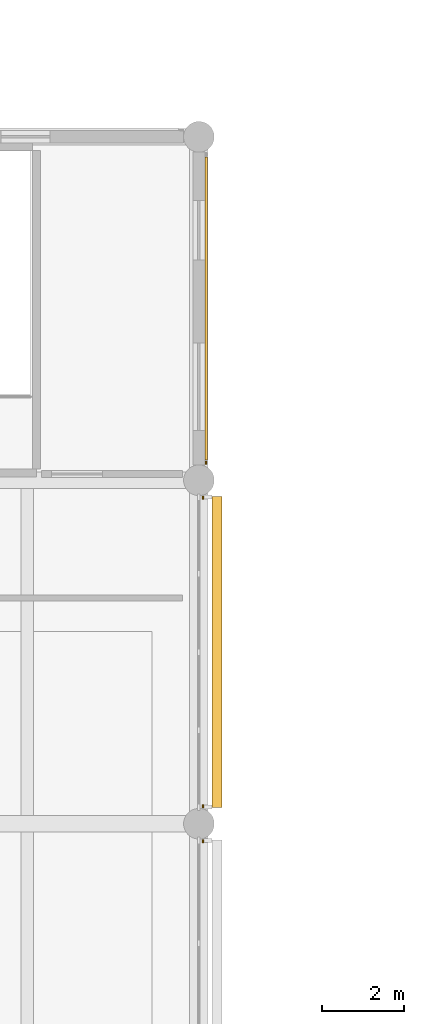
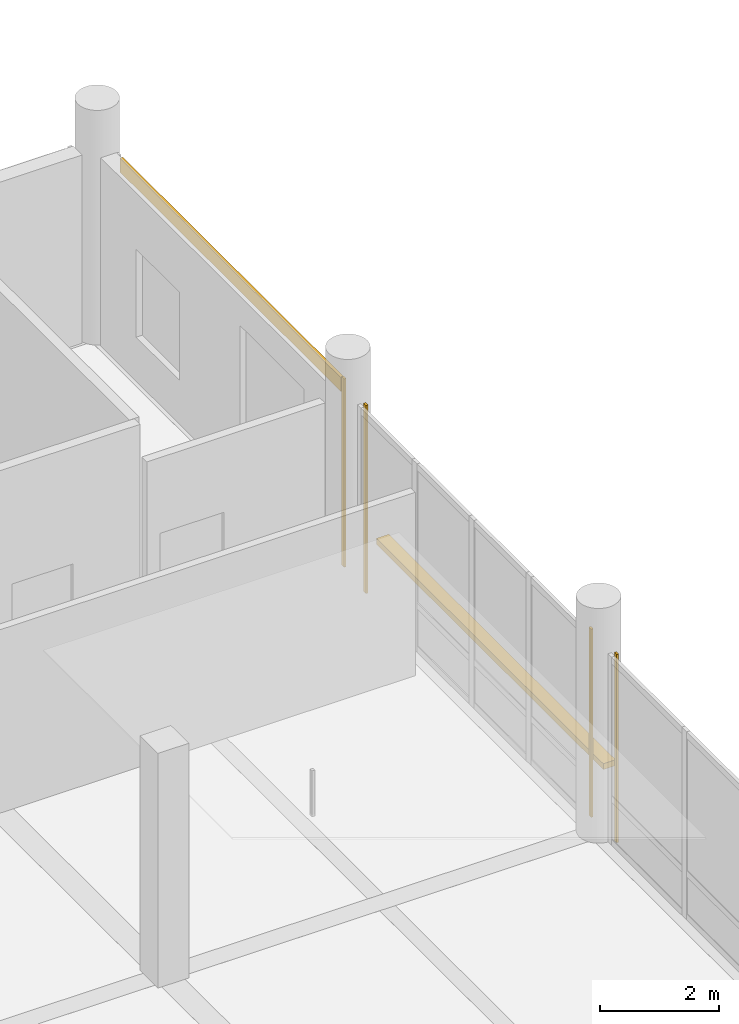
# One storey, part 109 of 122: 5 coverings, 1 shading device.
"""IFC4 building model written with IfcOpenShell, lengths in metres."""

from ifc_helpers import new_model, si_unit, direction, frame, origin, origin_2d, place, context, subcontext, project, spatial, rectangle, extrude, material, layer, layer_set, type_object, element, save


model = new_model("IFC4")

# Units and contexts
model_context = context("Model", 3, precision=1e-05, world=origin(), true_north=direction((0.0, 1.0)))
body_context = subcontext(model_context, "Body", "Model", "MODEL_VIEW")
ifc_project = project(units=[si_unit("LENGTHUNIT", "METRE"), si_unit("AREAUNIT", "SQUARE_METRE"), si_unit("VOLUMEUNIT", "CUBIC_METRE"), si_unit("PLANEANGLEUNIT", "RADIAN"), si_unit("MASSUNIT", "GRAM", prefix="KILO")], contexts=[model_context])

# Site, building, storey
site_placement = place(None, origin())
site = spatial("IfcSite", under=ifc_project, at=site_placement, CompositionType="ELEMENT")
building_placement = place(site_placement, origin())
building = spatial("IfcBuilding", under=site, at=building_placement, Name="Telukmera Botanical Conservatory", CompositionType="ELEMENT")
storey_placement = place(building_placement, frame((0.0, 0.0, 10.199951171875)))
storey = spatial("IfcBuildingStorey", under=building, at=storey_placement, Name="L02", CompositionType="ELEMENT", Elevation=10.199951171875)

# Coverings
ifc_material_1 = material(Name="Granite-faced precast concrete C40/50", Category="masonry")
ifc_layer_1 = layer(ifc_material_1, 0.0400390625)
ifc_layer_set_1 = layer_set([ifc_layer_1], Name="Granite-faced precast concrete C40/50")
covering_type_1 = type_object("IfcCoveringType", Name="Granite Precast Column Pier Reveal Casing", PredefinedType="CLADDING", material=ifc_layer_set_1)
for number, where, z_axis, x_axis, name in (
    (1, (42.10009765625, 57.572998046875, 0.0), (0.0, 0.0, 1.0), (0.0, 1.0, 0.0), "Granite Pier Reveal V3:L02:E5 R"),
    (2, (42.10009765625, 58.427001953125, 0.0), (0.0, 0.0, 1.0), (0.0, 1.0, 0.0), "Granite Pier Reveal V3:L02:E6 L"),
    (3, (42.10009765625, 65.972900390625, 0.0), (0.0, 0.0, 1.0), (0.0, 1.0, 0.0), "Granite Pier Reveal V3:L02:E6 R"),
    (4, (42.169921875, 66.826904296875, 0.0), (0.0, 0.0, 1.0), (0.0, 1.0, 0.0), "Granite Pier Reveal V3:L02:E7 L"),
):
    element("IfcCovering", number, at=place(storey_placement, frame(where, z_axis=z_axis, x_axis=x_axis)), inside=storey, type_object=covering_type_1, Name=name, PredefinedType="CLADDING", context=body_context, shape_type="SweptSolid", body=[
        extrude(rectangle(XDim=0.080078125, YDim=0.0400390625, at=origin_2d()), origin(), (0.0, 0.0, 1.0), 3.85009765625),
    ])

# Shading device
ifc_material_2 = material(Name="Perforated terracotta-anodised aluminium 6063-T6", Category="masonry")
ifc_layer_2 = layer(ifc_material_2, 0.044921875)
ifc_layer_set_2 = layer_set([ifc_layer_2], Name="Perforated terracotta-anodised aluminium 6063-T6")
shading_device_type = type_object("IfcShadingDeviceType", Name="Perforated Terracotta Aluminium Monsoon Brise Soleil", PredefinedType="JALOUSIE", material=ifc_layer_set_2)
shading_device_placement = place(storey_placement, frame((42.43994140625, 62.199951171875, 0.889892578125), z_axis=(0.0, 0.0, 1.0), x_axis=(0.0, 1.0, 0.0)))
element("IfcShadingDevice", 5, at=shading_device_placement, inside=storey, type_object=shading_device_type, Name="Monsoon Shading BS01 V3:L02:E6", PredefinedType="JALOUSIE", context=body_context, shape_type="SweptSolid", body=[
    extrude(rectangle(XDim=7.60595703125, YDim=0.239990234375, at=origin_2d()), origin(), (0.0, 0.0, 1.0), 0.1201171875),
])

# Covering
ifc_material_3 = material(Name="Terracotta-faced precast concrete C40/50", Category="masonry")
ifc_layer_3 = layer(ifc_material_3, 0.06005859375)
ifc_layer_set_3 = layer_set([ifc_layer_3], Name="Terracotta-faced precast concrete C40/50")
covering_type_2 = type_object("IfcCoveringType", Name="Polychrome Terracotta Facade Band Cladding", PredefinedType="CLADDING", material=ifc_layer_set_3)
covering_placement = place(storey_placement, frame((42.179931640625, 70.60009765625, 3.5302734375), z_axis=(0.0, 0.0, 1.0), x_axis=(0.0, 1.0, 0.0)))
element("IfcCovering", 6, at=covering_placement, inside=storey, type_object=covering_type_2, Name="Polychrome Terracotta Band V3:L02:E7", PredefinedType="CLADDING", context=body_context, shape_type="SweptSolid", body=[
    extrude(rectangle(XDim=7.406005859375, YDim=0.06005859375, at=origin_2d()), origin(), (0.0, 0.0, 1.0), 0.280029296875),
])

save(model, "model.ifc")
